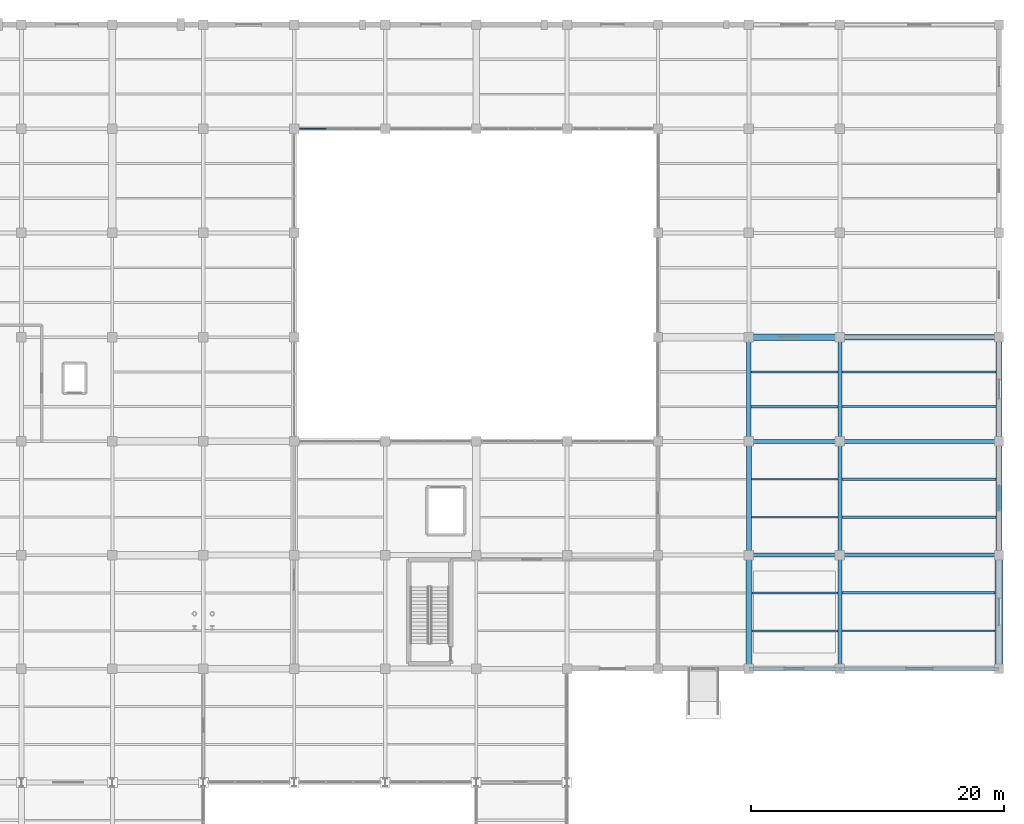
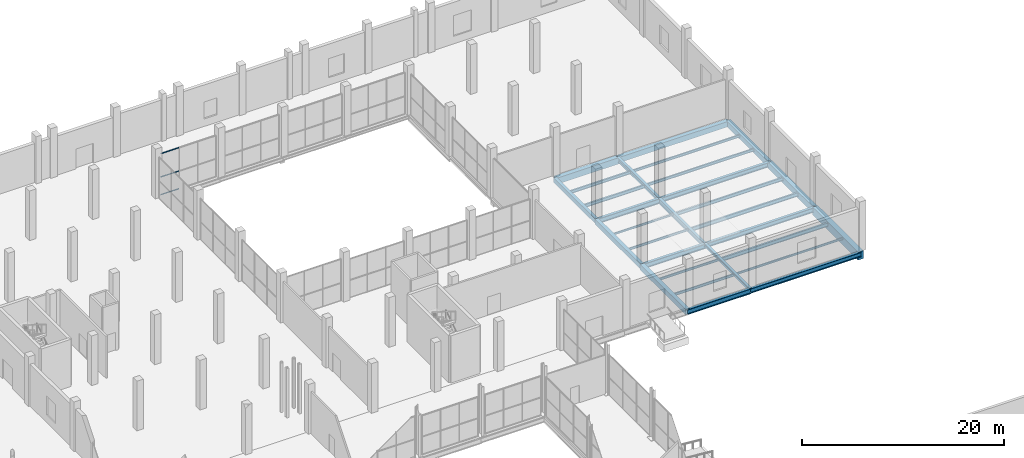
# One storey, part 107 of 144: 29 beams, 3 members, 1 element without a shape of its own.
"""IFC4 building model written with IfcOpenShell, lengths in metres."""

from ifc_helpers import new_model, si_unit, direction, frame, origin, origin_2d, place, context, subcontext, project, spatial, rectangle, hollow_rectangle, i_section, extrude, material, layer, layer_set, material_profile, profile_set, type_object, element, aggregate, save


model = new_model("IFC4")

# Units and contexts
model_context = context("Model", 3, precision=1e-05, world=origin(), true_north=direction((0.0, 1.0)))
body_context = subcontext(model_context, "Body", "Model", "MODEL_VIEW")
ifc_project = project(units=[si_unit("LENGTHUNIT", "METRE"), si_unit("AREAUNIT", "SQUARE_METRE"), si_unit("VOLUMEUNIT", "CUBIC_METRE"), si_unit("PLANEANGLEUNIT", "RADIAN"), si_unit("MASSUNIT", "GRAM", prefix="KILO")], contexts=[model_context])

# Site, building, storey
site_placement = place(None, origin())
site = spatial("IfcSite", under=ifc_project, at=site_placement, CompositionType="ELEMENT")
building_placement = place(site_placement, origin())
building = spatial("IfcBuilding", under=site, at=building_placement, Name="Sundgate Opera House", CompositionType="ELEMENT")
storey_placement = place(building_placement, origin())
storey = spatial("IfcBuildingStorey", under=building, at=storey_placement, Name="L00", CompositionType="ELEMENT", Elevation=0.0)

# Beams
ifc_material_1 = material(Name="Steel S355J2", Category="steel")
ifc_material_profile_1 = material_profile(ifc_material_1, i_section(OverallWidth=0.300048828125, OverallDepth=0.489990234375, WebThickness=0.011962890625, FlangeThickness=0.02294921875, at=origin_2d()), Name="HEA 500")
ifc_profile_set_1 = profile_set([ifc_material_profile_1], Name="Steel S355J2")
beam_type_1 = type_object("IfcBeamType", Name="BM-GR-HEA500", PredefinedType="BEAM", material=ifc_profile_set_1)
beam_1_placement = place(storey_placement, frame((167.39990234375, 87.0, -0.56494140625), z_axis=(0.0, 1.0, 0.0), x_axis=(-1.0, 0.0, 0.0)))
element("IfcBeam", 1, at=beam_1_placement, inside=storey, type_object=beam_type_1, Name="L00 Primary N-S Girder B0309", PredefinedType="BEAM", context=body_context, shape_type="SweptSolid", body=[
    extrude(i_section(OverallWidth=0.300048828125, OverallDepth=0.489990234375, WebThickness=0.011962890625, FlangeThickness=0.02294921875, at=origin_2d()), origin(), (0.0, 0.0, 1.0), 8.25),
])
ifc_material_2 = material(Name="Steel S355J2", Category="steel")
ifc_material_profile_2 = material_profile(ifc_material_2, i_section(OverallWidth=0.300048828125, OverallDepth=0.590087890625, WebThickness=0.012939453125, FlangeThickness=0.02490234375, at=origin_2d()), Name="HEA 600")
ifc_profile_set_2 = profile_set([ifc_material_profile_2], Name="Steel S355J2")
beam_type_2 = type_object("IfcBeamType", Name="BM-GR-HEA600", PredefinedType="BEAM", material=ifc_profile_set_2)
beam_2_placement = place(storey_placement, frame((167.39990234375, 78.0, -0.614990234375), z_axis=(0.0, 1.0, 0.0), x_axis=(-1.0, 0.0, 0.0)))
element("IfcBeam", 2, at=beam_2_placement, inside=storey, type_object=beam_type_2, Name="L00 Primary N-S Girder B0308", PredefinedType="BEAM", context=body_context, shape_type="SweptSolid", body=[
    extrude(i_section(OverallWidth=0.300048828125, OverallDepth=0.590087890625, WebThickness=0.012939453125, FlangeThickness=0.02490234375, at=origin_2d()), origin(), (0.0, 0.0, 1.0), 9.0),
])
ifc_material_3 = material(Name="Steel S355J2", Category="steel")
ifc_material_profile_3 = material_profile(ifc_material_3, i_section(OverallWidth=0.300048828125, OverallDepth=0.360107421875, WebThickness=0.012451171875, FlangeThickness=0.0224609375, at=origin_2d()), Name="HEB 360")
ifc_profile_set_3 = profile_set([ifc_material_profile_3], Name="Steel S355J2")
beam_type_3 = type_object("IfcBeamType", Name="BM-GR-HEB360", PredefinedType="BEAM", material=ifc_profile_set_3)
beam_3_placement = place(storey_placement, frame((167.39990234375, 69.0, -0.5), z_axis=(0.0, 1.0, 0.0), x_axis=(-1.0, 0.0, 0.0)))
element("IfcBeam", 3, at=beam_3_placement, inside=storey, type_object=beam_type_3, Name="L00 Primary N-S Girder B0307", PredefinedType="BEAM", context=body_context, shape_type="SweptSolid", body=[
    extrude(i_section(OverallWidth=0.300048828125, OverallDepth=0.360107421875, WebThickness=0.012451171875, FlangeThickness=0.0224609375, at=origin_2d()), origin(), (0.0, 0.0, 1.0), 9.0),
])
ifc_material_4 = material(Name="Steel S355J2", Category="steel")
ifc_material_profile_4 = material_profile(ifc_material_4, i_section(OverallWidth=0.300048828125, OverallDepth=0.550048828125, WebThickness=0.014892578125, FlangeThickness=0.029052734375, at=origin_2d()), Name="HEB 550")
ifc_profile_set_4 = profile_set([ifc_material_profile_4], Name="Steel S355J2")
beam_type_4 = type_object("IfcBeamType", Name="BM-GR-HEB550", PredefinedType="BEAM", material=ifc_profile_set_4)
for number, where, z_axis, x_axis, name in (
    (4, (167.39990234375, 69.0, -0.594970703125), (1.0, 0.0, 0.0), (0.0, 1.0, 0.0), "L00 Primary E-W Girder B0479"),
    (5, (167.39990234375, 78.0, -0.594970703125), (1.0, 0.0, 0.0), (0.0, 1.0, 0.0), "L00 Primary E-W Girder B0501"),
    (6, (167.39990234375, 87.0, -0.594970703125), (1.0, 0.0, 0.0), (0.0, 1.0, 0.0), "L00 Primary E-W Girder B0523"),
):
    element("IfcBeam", number, at=place(storey_placement, frame(where, z_axis=z_axis, x_axis=x_axis)), inside=storey, type_object=beam_type_4, Name=name, PredefinedType="BEAM", context=body_context, shape_type="SweptSolid", body=[
        extrude(i_section(OverallWidth=0.300048828125, OverallDepth=0.550048828125, WebThickness=0.014892578125, FlangeThickness=0.029052734375, at=origin_2d()), origin(), (0.0, 0.0, 1.0), 12.60009765625),
    ])
ifc_material_5 = material(Name="Steel S355J2", Category="steel")
ifc_material_profile_5 = material_profile(ifc_material_5, i_section(OverallWidth=0.300048828125, OverallDepth=0.60009765625, WebThickness=0.015380859375, FlangeThickness=0.030029296875, at=origin_2d()), Name="HEB 600")
ifc_profile_set_5 = profile_set([ifc_material_profile_5], Name="Steel S355J2")
beam_type_5 = type_object("IfcBeamType", Name="BM-GR-HEB600", PredefinedType="BEAM", material=ifc_profile_set_5)
for number, where, z_axis, x_axis, name in (
    (7, (160.199951171875, 69.0, -0.6201171875), (1.0, 0.0, 0.0), (0.0, 1.0, 0.0), "L00 Primary E-W Girder B0478"),
    (8, (160.199951171875, 78.0, -0.6201171875), (1.0, 0.0, 0.0), (0.0, 1.0, 0.0), "L00 Primary E-W Girder B0500"),
    (9, (160.199951171875, 87.0, -0.6201171875), (1.0, 0.0, 0.0), (0.0, 1.0, 0.0), "L00 Primary E-W Girder B0522"),
):
    element("IfcBeam", number, at=place(storey_placement, frame(where, z_axis=z_axis, x_axis=x_axis)), inside=storey, type_object=beam_type_5, Name=name, PredefinedType="BEAM", context=body_context, shape_type="SweptSolid", body=[
        extrude(i_section(OverallWidth=0.300048828125, OverallDepth=0.60009765625, WebThickness=0.015380859375, FlangeThickness=0.030029296875, at=origin_2d()), origin(), (0.0, 0.0, 1.0), 7.199951171875),
    ])
ifc_material_6 = material(Name="Steel S355J2", Category="steel")
ifc_material_profile_6 = material_profile(ifc_material_6, i_section(OverallWidth=0.1201171875, OverallDepth=0.239990234375, WebThickness=0.006103515625, FlangeThickness=0.009765625, at=origin_2d()), Name="IPE 240")
ifc_profile_set_6 = profile_set([ifc_material_profile_6], Name="Steel S355J2")
beam_type_6 = type_object("IfcBeamType", Name="BM-JS-IPE240", PredefinedType="JOIST", material=ifc_profile_set_6)
beam_4_placement = place(storey_placement, frame((167.550048828125, 72.0, -0.43994140625), z_axis=(1.0, 0.0, 0.0), x_axis=(0.0, 1.0, 0.0)))
element("IfcBeam", 10, at=beam_4_placement, inside=storey, type_object=beam_type_6, Name="L00 Secondary Floor Joist B0874", PredefinedType="JOIST", context=body_context, shape_type="SweptSolid", body=[
    extrude(i_section(OverallWidth=0.1201171875, OverallDepth=0.239990234375, WebThickness=0.006103515625, FlangeThickness=0.009765625, at=origin_2d()), origin(), (0.0, 0.0, 1.0), 12.14990234375),
])
beam_5_placement = place(storey_placement, frame((160.39990234375, 84.0, -0.43994140625), z_axis=(1.0, 0.0, 0.0), x_axis=(0.0, 1.0, 0.0)))
element("IfcBeam", 11, at=beam_5_placement, inside=storey, type_object=beam_type_6, Name="L00 Secondary Floor Joist B0916", PredefinedType="JOIST", context=body_context, shape_type="SweptSolid", body=[
    extrude(i_section(OverallWidth=0.1201171875, OverallDepth=0.239990234375, WebThickness=0.006103515625, FlangeThickness=0.009765625, at=origin_2d()), origin(), (0.0, 0.0, 1.0), 6.85009765625),
])
ifc_material_7 = material(Name="Steel S355J2", Category="steel")
ifc_material_profile_7 = material_profile(ifc_material_7, i_section(OverallWidth=0.135009765625, OverallDepth=0.27001953125, WebThickness=0.006591796875, FlangeThickness=0.01025390625, at=origin_2d()), Name="IPE 270")
ifc_profile_set_7 = profile_set([ifc_material_profile_7], Name="Steel S355J2")
beam_type_7 = type_object("IfcBeamType", Name="BM-JS-IPE270", PredefinedType="JOIST", material=ifc_profile_set_7)
beam_6_placement = place(storey_placement, frame((160.425048828125, 75.0, -0.455078125), z_axis=(1.0, 0.0, 0.0), x_axis=(0.0, 1.0, 0.0)))
element("IfcBeam", 12, at=beam_6_placement, inside=storey, type_object=beam_type_7, Name="L00 Secondary Floor Joist B0873", PredefinedType="JOIST", context=body_context, shape_type="SweptSolid", body=[
    extrude(i_section(OverallWidth=0.135009765625, OverallDepth=0.27001953125, WebThickness=0.006591796875, FlangeThickness=0.01025390625, at=origin_2d()), origin(), (0.0, 0.0, 1.0), 6.824951171875),
])
beam_7_placement = place(storey_placement, frame((160.39990234375, 81.0, -0.455078125), z_axis=(1.0, 0.0, 0.0), x_axis=(0.0, 1.0, 0.0)))
element("IfcBeam", 13, at=beam_7_placement, inside=storey, type_object=beam_type_7, Name="L00 Secondary Floor Joist B0915", PredefinedType="JOIST", context=body_context, shape_type="SweptSolid", body=[
    extrude(i_section(OverallWidth=0.135009765625, OverallDepth=0.27001953125, WebThickness=0.006591796875, FlangeThickness=0.01025390625, at=origin_2d()), origin(), (0.0, 0.0, 1.0), 6.85009765625),
])
ifc_material_8 = material(Name="Steel S355J2", Category="steel")
ifc_material_profile_8 = material_profile(ifc_material_8, i_section(OverallWidth=0.14990234375, OverallDepth=0.300048828125, WebThickness=0.007080078125, FlangeThickness=0.0107421875, at=origin_2d()), Name="IPE 300")
ifc_profile_set_8 = profile_set([ifc_material_profile_8], Name="Steel S355J2")
beam_type_8 = type_object("IfcBeamType", Name="BM-JS-IPE300", PredefinedType="JOIST", material=ifc_profile_set_8)
beam_8_placement = place(storey_placement, frame((160.425048828125, 72.0, -0.469970703125), z_axis=(1.0, 0.0, 0.0), x_axis=(0.0, 1.0, 0.0)))
element("IfcBeam", 14, at=beam_8_placement, inside=storey, type_object=beam_type_8, Name="L00 Secondary Floor Joist B0872", PredefinedType="JOIST", context=body_context, shape_type="SweptSolid", body=[
    extrude(i_section(OverallWidth=0.14990234375, OverallDepth=0.300048828125, WebThickness=0.007080078125, FlangeThickness=0.0107421875, at=origin_2d()), origin(), (0.0, 0.0, 1.0), 6.824951171875),
])
beam_9_placement = place(storey_placement, frame((167.550048828125, 92.5, -0.469970703125), z_axis=(1.0, 0.0, 0.0), x_axis=(0.0, 1.0, 0.0)))
element("IfcBeam", 15, at=beam_9_placement, inside=storey, type_object=beam_type_8, Name="L00 Secondary Floor Joist B0949", PredefinedType="JOIST", context=body_context, shape_type="SweptSolid", body=[
    extrude(i_section(OverallWidth=0.14990234375, OverallDepth=0.300048828125, WebThickness=0.007080078125, FlangeThickness=0.0107421875, at=origin_2d()), origin(), (0.0, 0.0, 1.0), 12.224853515625),
])
ifc_material_9 = material(Name="Steel S355J2", Category="steel")
ifc_material_profile_9 = material_profile(ifc_material_9, i_section(OverallWidth=0.159912109375, OverallDepth=0.330078125, WebThickness=0.007568359375, FlangeThickness=0.011474609375, at=origin_2d()), Name="IPE 330")
ifc_profile_set_9 = profile_set([ifc_material_profile_9], Name="Steel S355J2")
beam_type_9 = type_object("IfcBeamType", Name="BM-JS-IPE330", PredefinedType="JOIST", material=ifc_profile_set_9)
beam_10_placement = place(storey_placement, frame((167.550048828125, 89.75, -0.485107421875), z_axis=(1.0, 0.0, 0.0), x_axis=(0.0, 1.0, 0.0)))
element("IfcBeam", 16, at=beam_10_placement, inside=storey, type_object=beam_type_9, Name="L00 Secondary Floor Joist B0948", PredefinedType="JOIST", context=body_context, shape_type="SweptSolid", body=[
    extrude(i_section(OverallWidth=0.159912109375, OverallDepth=0.330078125, WebThickness=0.007568359375, FlangeThickness=0.011474609375, at=origin_2d()), origin(), (0.0, 0.0, 1.0), 12.224853515625),
])
ifc_material_10 = material(Name="Steel S355J2", Category="steel")
ifc_material_profile_10 = material_profile(ifc_material_10, i_section(OverallWidth=0.169921875, OverallDepth=0.360107421875, WebThickness=0.008056640625, FlangeThickness=0.0126953125, at=origin_2d()), Name="IPE 360")
ifc_profile_set_10 = profile_set([ifc_material_profile_10], Name="Steel S355J2")
beam_type_10 = type_object("IfcBeamType", Name="BM-JS-IPE360", PredefinedType="JOIST", material=ifc_profile_set_10)
beam_11_placement = place(storey_placement, frame((160.375, 92.5, -0.5), z_axis=(1.0, 0.0, 0.0), x_axis=(0.0, 1.0, 0.0)))
element("IfcBeam", 17, at=beam_11_placement, inside=storey, type_object=beam_type_10, Name="L00 Secondary Floor Joist B0947", PredefinedType="JOIST", context=body_context, shape_type="SweptSolid", body=[
    extrude(i_section(OverallWidth=0.169921875, OverallDepth=0.360107421875, WebThickness=0.008056640625, FlangeThickness=0.0126953125, at=origin_2d()), origin(), (0.0, 0.0, 1.0), 6.875),
])
ifc_material_11 = material(Name="Steel S355J2", Category="steel")
ifc_material_profile_11 = material_profile(ifc_material_11, i_section(OverallWidth=0.179931640625, OverallDepth=0.39990234375, WebThickness=0.008544921875, FlangeThickness=0.013427734375, at=origin_2d()), Name="IPE 400")
ifc_profile_set_11 = profile_set([ifc_material_profile_11], Name="Steel S355J2")
beam_type_11 = type_object("IfcBeamType", Name="BM-JS-IPE400", PredefinedType="JOIST", material=ifc_profile_set_11)
beam_12_placement = place(storey_placement, frame((167.550048828125, 84.0, -0.52001953125), z_axis=(1.0, 0.0, 0.0), x_axis=(0.0, 1.0, 0.0)))
element("IfcBeam", 18, at=beam_12_placement, inside=storey, type_object=beam_type_11, Name="L00 Secondary Floor Joist B0918", PredefinedType="JOIST", context=body_context, shape_type="SweptSolid", body=[
    extrude(i_section(OverallWidth=0.179931640625, OverallDepth=0.39990234375, WebThickness=0.008544921875, FlangeThickness=0.013427734375, at=origin_2d()), origin(), (0.0, 0.0, 1.0), 12.199951171875),
])
beam_13_placement = place(storey_placement, frame((160.375, 89.75, -0.52001953125), z_axis=(1.0, 0.0, 0.0), x_axis=(0.0, 1.0, 0.0)))
element("IfcBeam", 19, at=beam_13_placement, inside=storey, type_object=beam_type_11, Name="L00 Secondary Floor Joist B0946", PredefinedType="JOIST", context=body_context, shape_type="SweptSolid", body=[
    extrude(i_section(OverallWidth=0.179931640625, OverallDepth=0.39990234375, WebThickness=0.008544921875, FlangeThickness=0.013427734375, at=origin_2d()), origin(), (0.0, 0.0, 1.0), 6.875),
])
ifc_material_12 = material(Name="Steel S355J2", Category="steel")
ifc_material_profile_12 = material_profile(ifc_material_12, i_section(OverallWidth=0.18994140625, OverallDepth=0.449951171875, WebThickness=0.009521484375, FlangeThickness=0.0146484375, at=origin_2d()), Name="IPE 450")
ifc_profile_set_12 = profile_set([ifc_material_profile_12], Name="Steel S355J2")
beam_type_12 = type_object("IfcBeamType", Name="BM-JS-IPE450", PredefinedType="JOIST", material=ifc_profile_set_12)
beam_14_placement = place(storey_placement, frame((167.550048828125, 75.0, -0.544921875), z_axis=(1.0, 0.0, 0.0), x_axis=(0.0, 1.0, 0.0)))
element("IfcBeam", 20, at=beam_14_placement, inside=storey, type_object=beam_type_12, Name="L00 Secondary Floor Joist B0875", PredefinedType="JOIST", context=body_context, shape_type="SweptSolid", body=[
    extrude(i_section(OverallWidth=0.18994140625, OverallDepth=0.449951171875, WebThickness=0.009521484375, FlangeThickness=0.0146484375, at=origin_2d()), origin(), (0.0, 0.0, 1.0), 12.14990234375),
])
beam_15_placement = place(storey_placement, frame((167.550048828125, 81.0, -0.544921875), z_axis=(1.0, 0.0, 0.0), x_axis=(0.0, 1.0, 0.0)))
element("IfcBeam", 21, at=beam_15_placement, inside=storey, type_object=beam_type_12, Name="L00 Secondary Floor Joist B0917", PredefinedType="JOIST", context=body_context, shape_type="SweptSolid", body=[
    extrude(i_section(OverallWidth=0.18994140625, OverallDepth=0.449951171875, WebThickness=0.009521484375, FlangeThickness=0.0146484375, at=origin_2d()), origin(), (0.0, 0.0, 1.0), 12.199951171875),
])
ifc_material_13 = material(Name="Concrete C35/45", Category="concrete")
ifc_material_profile_13 = material_profile(ifc_material_13, rectangle(XDim=0.35009765625, YDim=0.550048828125, at=origin_2d()), Name="RC 350x550")
ifc_profile_set_13 = profile_set([ifc_material_profile_13], Name="Concrete C35/45")
beam_type_13 = type_object("IfcBeamType", Name="BM-RC-350x550", PredefinedType="BEAM", material=ifc_profile_set_13)
beam_16_placement = place(storey_placement, frame((160.199951171875, 87.0, -0.594970703125), z_axis=(0.0, 1.0, 0.0), x_axis=(-1.0, 0.0, 0.0)))
element("IfcBeam", 22, at=beam_16_placement, inside=storey, type_object=beam_type_13, Name="L00 Primary N-S Girder B0300", PredefinedType="BEAM", context=body_context, shape_type="SweptSolid", body=[
    extrude(rectangle(XDim=0.35009765625, YDim=0.550048828125, at=origin_2d()), origin(), (0.0, 0.0, 1.0), 8.25),
])
ifc_material_14 = material(Name="Concrete C35/45", Category="concrete")
ifc_material_profile_14 = material_profile(ifc_material_14, rectangle(XDim=0.39990234375, YDim=0.60009765625, at=origin_2d()), Name="RC 400x600")
ifc_profile_set_14 = profile_set([ifc_material_profile_14], Name="Concrete C35/45")
beam_type_14 = type_object("IfcBeamType", Name="BM-RC-400x600", PredefinedType="BEAM", material=ifc_profile_set_14)
beam_17_placement = place(storey_placement, frame((160.199951171875, 78.0, -0.6201171875), z_axis=(0.0, 1.0, 0.0), x_axis=(-1.0, 0.0, 0.0)))
element("IfcBeam", 23, at=beam_17_placement, inside=storey, type_object=beam_type_14, Name="L00 Primary N-S Girder B0299", PredefinedType="BEAM", context=body_context, shape_type="SweptSolid", body=[
    extrude(rectangle(XDim=0.39990234375, YDim=0.60009765625, at=origin_2d()), origin(), (0.0, 0.0, 1.0), 9.0),
])
ifc_material_15 = material(Name="Concrete C35/45", Category="concrete")
ifc_material_profile_15 = material_profile(ifc_material_15, rectangle(XDim=0.449951171875, YDim=0.64990234375, at=origin_2d()), Name="RC 450x650")
ifc_profile_set_15 = profile_set([ifc_material_profile_15], Name="Concrete C35/45")
beam_type_15 = type_object("IfcBeamType", Name="BM-RC-450x650", PredefinedType="BEAM", material=ifc_profile_set_15)
beam_18_placement = place(storey_placement, frame((160.199951171875, 69.0, -0.64501953125), z_axis=(0.0, 1.0, 0.0), x_axis=(-1.0, 0.0, 0.0)))
element("IfcBeam", 24, at=beam_18_placement, inside=storey, type_object=beam_type_15, Name="L00 Primary N-S Girder B0298", PredefinedType="BEAM", context=body_context, shape_type="SweptSolid", body=[
    extrude(rectangle(XDim=0.449951171875, YDim=0.64990234375, at=origin_2d()), origin(), (0.0, 0.0, 1.0), 9.0),
])
beam_19_placement = place(storey_placement, frame((180.0, 87.0, -0.64501953125), z_axis=(0.0, 1.0, 0.0), x_axis=(-1.0, 0.0, 0.0)))
element("IfcBeam", 25, at=beam_19_placement, inside=storey, type_object=beam_type_15, Name="L00 Primary N-S Girder B0319", PredefinedType="BEAM", context=body_context, shape_type="SweptSolid", body=[
    extrude(rectangle(XDim=0.449951171875, YDim=0.64990234375, at=origin_2d()), origin(), (0.0, 0.0, 1.0), 8.25),
])
beam_20_placement = place(storey_placement, frame((167.39990234375, 95.25, -0.64501953125), z_axis=(1.0, 0.0, 0.0), x_axis=(0.0, 1.0, 0.0)))
element("IfcBeam", 26, at=beam_20_placement, inside=storey, type_object=beam_type_15, Name="L00 Primary E-W Girder B0539", PredefinedType="BEAM", context=body_context, shape_type="SweptSolid", body=[
    extrude(rectangle(XDim=0.449951171875, YDim=0.64990234375, at=origin_2d()), origin(), (0.0, 0.0, 1.0), 12.60009765625),
])
ifc_material_16 = material(Name="Concrete C40/50", Category="concrete")
ifc_material_profile_16 = material_profile(ifc_material_16, rectangle(XDim=0.5, YDim=0.75, at=origin_2d()), Name="RC 500x750")
ifc_profile_set_16 = profile_set([ifc_material_profile_16], Name="Concrete C40/50")
beam_type_16 = type_object("IfcBeamType", Name="BM-RC-500x750", PredefinedType="BEAM", material=ifc_profile_set_16)
beam_21_placement = place(storey_placement, frame((180.0, 78.0, -0.695068359375), z_axis=(0.0, 1.0, 0.0), x_axis=(-1.0, 0.0, 0.0)))
element("IfcBeam", 27, at=beam_21_placement, inside=storey, type_object=beam_type_16, Name="L00 Primary N-S Girder B0318", PredefinedType="BEAM", context=body_context, shape_type="SweptSolid", body=[
    extrude(rectangle(XDim=0.5, YDim=0.75, at=origin_2d()), origin(), (0.0, 0.0, 1.0), 9.0),
])
beam_22_placement = place(storey_placement, frame((160.199951171875, 95.25, -0.695068359375), z_axis=(1.0, 0.0, 0.0), x_axis=(0.0, 1.0, 0.0)))
element("IfcBeam", 28, at=beam_22_placement, inside=storey, type_object=beam_type_16, Name="L00 Primary E-W Girder B0538", PredefinedType="BEAM", context=body_context, shape_type="SweptSolid", body=[
    extrude(rectangle(XDim=0.5, YDim=0.75, at=origin_2d()), origin(), (0.0, 0.0, 1.0), 7.199951171875),
])
ifc_material_17 = material(Name="Concrete C40/50", Category="concrete")
ifc_material_profile_17 = material_profile(ifc_material_17, rectangle(XDim=0.60009765625, YDim=0.949951171875, at=origin_2d()), Name="RC 600x950")
ifc_profile_set_17 = profile_set([ifc_material_profile_17], Name="Concrete C40/50")
beam_type_17 = type_object("IfcBeamType", Name="BM-RC-600x950", PredefinedType="BEAM", material=ifc_profile_set_17)
beam_23_placement = place(storey_placement, frame((180.0, 69.0, -0.794921875), z_axis=(0.0, 1.0, 0.0), x_axis=(-1.0, 0.0, 0.0)))
element("IfcBeam", 29, at=beam_23_placement, inside=storey, type_object=beam_type_17, Name="L00 Primary N-S Girder B0317", PredefinedType="BEAM", context=body_context, shape_type="SweptSolid", body=[
    extrude(rectangle(XDim=0.60009765625, YDim=0.949951171875, at=origin_2d()), origin(), (0.0, 0.0, 1.0), 9.0),
])

# Curtain wall, members
ifc_material_18 = material(Name="Anodized aluminium and low-iron glass", Category="aluminium")
ifc_layer = layer(ifc_material_18, 0.159912109375)
ifc_layer_set = layer_set([ifc_layer], Name="Anodized aluminium and low-iron glass")
curtain_wall_type = type_object("IfcCurtainWallType", Name="CW-STUDIO-DARK", PredefinedType="NOTDEFINED", material=ifc_layer_set)
curtain_wall_placement = place(storey_placement, origin())
curtain_wall = element("IfcCurtainWall", 30, at=curtain_wall_placement, inside=storey, type_object=curtain_wall_type, Name="L00 Curtain Wall CW081", PredefinedType="NOTDEFINED")
ifc_material_19 = material(Name="Anodized aluminium EN AW-6063", Category="aluminium")
ifc_material_profile_18 = material_profile(ifc_material_19, hollow_rectangle(XDim=0.054931640625, YDim=0.1201171875, WallThickness=0.00390625, at=origin_2d()), Name="CWT 120x55x4")
ifc_profile_set_18 = profile_set([ifc_material_profile_18], Name="Anodized aluminium EN AW-6063")
member_type = type_object("IfcMemberType", Name="CWT-ALU-120x55", PredefinedType="USERDEFINED", material=ifc_profile_set_18)
member_1_placement = place(storey_placement, frame((126.75, 111.75, 0.0), z_axis=(-1.0, 0.0, 0.0), x_axis=(0.0, -1.0, 0.0)))
member_1 = element("IfcMember", 31, at=member_1_placement, type_object=member_type, Name="CW081 Transom 7", ObjectType="TRANSOM", PredefinedType="USERDEFINED", context=body_context, shape_type="SweptSolid", body=[
    extrude(hollow_rectangle(XDim=0.054931640625, YDim=0.1201171875, WallThickness=0.00390625, at=origin_2d()), origin(), (0.0, 0.0, 1.0), 2.10009765625),
])
member_2_placement = place(storey_placement, frame((126.75, 111.75, 2.14990234375), z_axis=(-1.0, 0.0, 0.0), x_axis=(0.0, -1.0, 0.0)))
member_2 = element("IfcMember", 32, at=member_2_placement, type_object=member_type, Name="CW081 Transom 8", ObjectType="TRANSOM", PredefinedType="USERDEFINED", context=body_context, shape_type="SweptSolid", body=[
    extrude(hollow_rectangle(XDim=0.054931640625, YDim=0.1201171875, WallThickness=0.00390625, at=origin_2d()), origin(), (0.0, 0.0, 1.0), 2.10009765625),
])
member_3_placement = place(storey_placement, frame((126.75, 111.75, 4.965087890625), z_axis=(-1.0, 0.0, 0.0), x_axis=(0.0, -1.0, 0.0)))
member_3 = element("IfcMember", 33, at=member_3_placement, type_object=member_type, Name="CW081 Transom 9", ObjectType="TRANSOM", PredefinedType="USERDEFINED", context=body_context, shape_type="SweptSolid", body=[
    extrude(hollow_rectangle(XDim=0.054931640625, YDim=0.1201171875, WallThickness=0.00390625, at=origin_2d()), origin(), (0.0, 0.0, 1.0), 2.10009765625),
])
aggregate(curtain_wall, [member_1, member_2, member_3])

save(model, "model.ifc")
